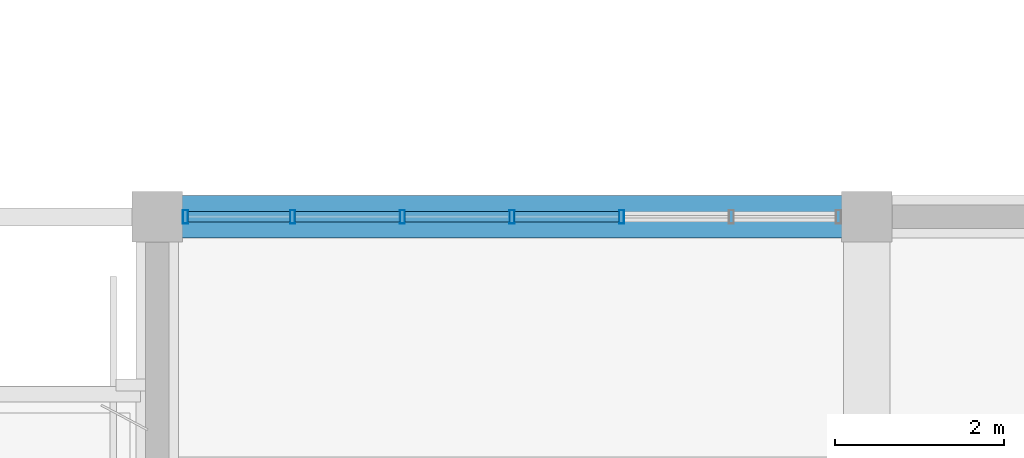
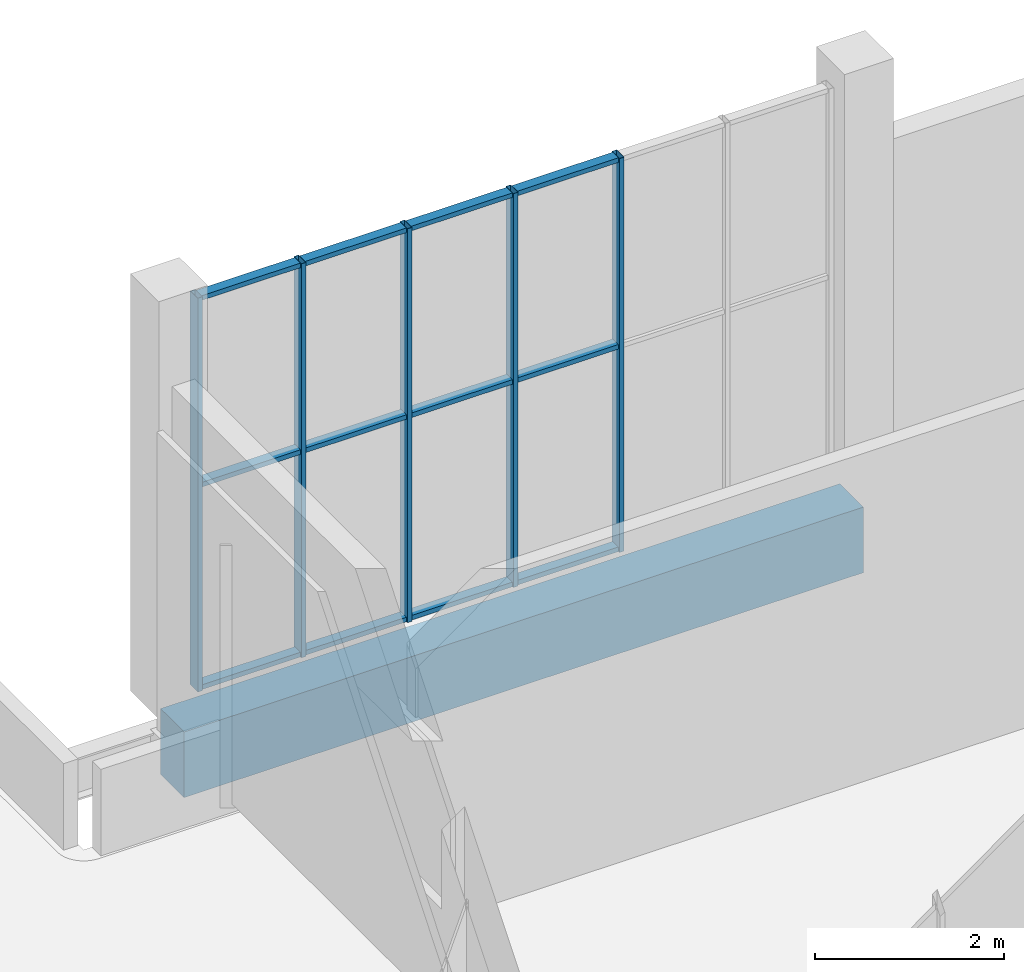
# One storey, part 63 of 132: 17 members, 1 beam, 1 element without a shape of its own.
"""IFC4 building model written with IfcOpenShell, lengths in metres."""

from ifc_helpers import new_model, si_unit, direction, frame, origin, origin_2d, place, context, subcontext, project, spatial, rectangle, hollow_rectangle, extrude, material, material_profile, profile_set, type_object, element, aggregate, save


model = new_model("IFC4")

# Units and contexts
model_context = context("Model", 3, precision=1e-05, world=origin(), true_north=direction((0.0, 1.0)))
body_context = subcontext(model_context, "Body", "Model", "MODEL_VIEW")
ifc_project = project(units=[si_unit("LENGTHUNIT", "METRE"), si_unit("AREAUNIT", "SQUARE_METRE"), si_unit("VOLUMEUNIT", "CUBIC_METRE"), si_unit("PLANEANGLEUNIT", "RADIAN"), si_unit("MASSUNIT", "GRAM", prefix="KILO")], contexts=[model_context])

# Site, building, storey
site_placement = place(None, origin())
site = spatial("IfcSite", under=ifc_project, at=site_placement, CompositionType="ELEMENT")
building_placement = place(site_placement, origin())
building = spatial("IfcBuilding", under=site, at=building_placement, Name="Khurvash Pelagic Aquarium", CompositionType="ELEMENT")
storey_placement = place(building_placement, frame((0.0, 0.0, 5.39990234375)))
storey = spatial("IfcBuildingStorey", under=building, at=storey_placement, Name="L01", CompositionType="ELEMENT", Elevation=5.39990234375)

# Curtain wall, members
ifc_material_1 = material(Name="Anodised aluminium and low-E laminated glass", Category="aluminium")
curtain_wall_type = type_object("IfcCurtainWallType", Name="CW-05", PredefinedType="USERDEFINED", material=ifc_material_1)
curtain_wall_placement = place(storey_placement, origin())
curtain_wall = element("IfcCurtainWall", 1, at=curtain_wall_placement, inside=storey, type_object=curtain_wall_type, Name="L01 Facade Unitised Curtain Wall CW-05 0120", ObjectType="UNITISED CURTAIN WALL", PredefinedType="USERDEFINED")
ifc_material_2 = material(Name="Extruded aluminium AW-6063-T6", Category="aluminium")
ifc_material_profile_1 = material_profile(ifc_material_2, hollow_rectangle(XDim=0.06005859375, YDim=0.159912109375, WallThickness=0.00390625, at=origin_2d()), Name="CWM60X160X4")
ifc_profile_set_1 = profile_set([ifc_material_profile_1], Name="Extruded aluminium AW-6063-T6")
member_type_1 = type_object("IfcMemberType", Name="CM-02", PredefinedType="MULLION", material=ifc_profile_set_1)
member_1_placement = place(storey_placement, frame((39.098388671875, 102.14990234375, 0.0), z_axis=(0.0, 0.0, 1.0), x_axis=(-1.0, 0.0, 0.0)))
member_1 = element("IfcMember", 2, at=member_1_placement, type_object=member_type_1, Name="CW-05 mullion 3", PredefinedType="MULLION", context=body_context, shape_type="SweptSolid", body=[
    extrude(hollow_rectangle(XDim=0.06005859375, YDim=0.159912109375, WallThickness=0.00390625, at=origin_2d()), origin(), (0.0, 0.0, 1.0), 5.10009765625),
])
member_2_placement = place(storey_placement, frame((37.800048828125, 102.14990234375, 0.0), z_axis=(0.0, 0.0, 1.0), x_axis=(-1.0, 0.0, 0.0)))
member_2 = element("IfcMember", 3, at=member_2_placement, type_object=member_type_1, Name="CW-05 mullion 4", PredefinedType="MULLION", context=body_context, shape_type="SweptSolid", body=[
    extrude(hollow_rectangle(XDim=0.06005859375, YDim=0.159912109375, WallThickness=0.00390625, at=origin_2d()), origin(), (0.0, 0.0, 1.0), 5.10009765625),
])
member_3_placement = place(storey_placement, frame((36.501708984375, 102.14990234375, 0.0), z_axis=(0.0, 0.0, 1.0), x_axis=(-1.0, 0.0, 0.0)))
member_3 = element("IfcMember", 4, at=member_3_placement, type_object=member_type_1, Name="CW-05 mullion 5", PredefinedType="MULLION", context=body_context, shape_type="SweptSolid", body=[
    extrude(hollow_rectangle(XDim=0.06005859375, YDim=0.159912109375, WallThickness=0.00390625, at=origin_2d()), origin(), (0.0, 0.0, 1.0), 5.10009765625),
])
member_4_placement = place(storey_placement, frame((35.203369140625, 102.14990234375, 0.0), z_axis=(0.0, 0.0, 1.0), x_axis=(-1.0, 0.0, 0.0)))
member_4 = element("IfcMember", 5, at=member_4_placement, type_object=member_type_1, Name="CW-05 mullion 6", PredefinedType="MULLION", context=body_context, shape_type="SweptSolid", body=[
    extrude(hollow_rectangle(XDim=0.06005859375, YDim=0.159912109375, WallThickness=0.00390625, at=origin_2d()), origin(), (0.0, 0.0, 1.0), 5.10009765625),
])
member_5_placement = place(storey_placement, frame((33.93505859375, 102.14990234375, 0.0), z_axis=(0.0, 0.0, 1.0), x_axis=(-1.0, 0.0, 0.0)))
member_5 = element("IfcMember", 6, at=member_5_placement, type_object=member_type_1, Name="CW-05 mullion 7", PredefinedType="MULLION", context=body_context, shape_type="SweptSolid", body=[
    extrude(hollow_rectangle(XDim=0.06005859375, YDim=0.159912109375, WallThickness=0.00390625, at=origin_2d()), origin(), (0.0, 0.0, 1.0), 5.10009765625),
])
ifc_material_profile_2 = material_profile(ifc_material_2, hollow_rectangle(XDim=0.1201171875, YDim=0.06005859375, WallThickness=0.00390625, at=origin_2d()), Name="CWT120X60X4")
ifc_profile_set_2 = profile_set([ifc_material_profile_2], Name="Extruded aluminium AW-6063-T6")
member_type_2 = type_object("IfcMemberType", Name="CT-02", PredefinedType="USERDEFINED", material=ifc_profile_set_2)
member_6_placement = place(storey_placement, frame((39.068359375, 102.14990234375, 0.030029296875), z_axis=(-1.0, 0.0, 0.0), x_axis=(0.0, -1.0, 0.0)))
member_6 = element("IfcMember", 7, at=member_6_placement, type_object=member_type_2, Name="CW-05 transom 3.1", ObjectType="TRANSOM", PredefinedType="USERDEFINED", context=body_context, shape_type="SweptSolid", body=[
    extrude(hollow_rectangle(XDim=0.1201171875, YDim=0.06005859375, WallThickness=0.00390625, at=origin_2d()), origin(), (0.0, 0.0, 1.0), 1.23828125),
])
member_7_placement = place(storey_placement, frame((39.068359375, 102.14990234375, 2.652099609375), z_axis=(-1.0, 0.0, 0.0), x_axis=(0.0, -1.0, 0.0)))
member_7 = element("IfcMember", 8, at=member_7_placement, type_object=member_type_2, Name="CW-05 transom 3.2", ObjectType="TRANSOM", PredefinedType="USERDEFINED", context=body_context, shape_type="SweptSolid", body=[
    extrude(hollow_rectangle(XDim=0.1201171875, YDim=0.06005859375, WallThickness=0.00390625, at=origin_2d()), origin(), (0.0, 0.0, 1.0), 1.23828125),
])
member_8_placement = place(storey_placement, frame((39.068359375, 102.14990234375, 5.070068359375), z_axis=(-1.0, 0.0, 0.0), x_axis=(0.0, -1.0, 0.0)))
member_8 = element("IfcMember", 9, at=member_8_placement, type_object=member_type_2, Name="CW-05 transom 3.3", ObjectType="TRANSOM", PredefinedType="USERDEFINED", context=body_context, shape_type="SweptSolid", body=[
    extrude(hollow_rectangle(XDim=0.1201171875, YDim=0.06005859375, WallThickness=0.00390625, at=origin_2d()), origin(), (0.0, 0.0, 1.0), 1.23828125),
])
member_9_placement = place(storey_placement, frame((37.77001953125, 102.14990234375, 0.030029296875), z_axis=(-1.0, 0.0, 0.0), x_axis=(0.0, -1.0, 0.0)))
member_9 = element("IfcMember", 10, at=member_9_placement, type_object=member_type_2, Name="CW-05 transom 4.1", ObjectType="TRANSOM", PredefinedType="USERDEFINED", context=body_context, shape_type="SweptSolid", body=[
    extrude(hollow_rectangle(XDim=0.1201171875, YDim=0.06005859375, WallThickness=0.00390625, at=origin_2d()), origin(), (0.0, 0.0, 1.0), 1.23828125),
])
member_10_placement = place(storey_placement, frame((37.77001953125, 102.14990234375, 2.652099609375), z_axis=(-1.0, 0.0, 0.0), x_axis=(0.0, -1.0, 0.0)))
member_10 = element("IfcMember", 11, at=member_10_placement, type_object=member_type_2, Name="CW-05 transom 4.2", ObjectType="TRANSOM", PredefinedType="USERDEFINED", context=body_context, shape_type="SweptSolid", body=[
    extrude(hollow_rectangle(XDim=0.1201171875, YDim=0.06005859375, WallThickness=0.00390625, at=origin_2d()), origin(), (0.0, 0.0, 1.0), 1.23828125),
])
member_11_placement = place(storey_placement, frame((37.77001953125, 102.14990234375, 5.070068359375), z_axis=(-1.0, 0.0, 0.0), x_axis=(0.0, -1.0, 0.0)))
member_11 = element("IfcMember", 12, at=member_11_placement, type_object=member_type_2, Name="CW-05 transom 4.3", ObjectType="TRANSOM", PredefinedType="USERDEFINED", context=body_context, shape_type="SweptSolid", body=[
    extrude(hollow_rectangle(XDim=0.1201171875, YDim=0.06005859375, WallThickness=0.00390625, at=origin_2d()), origin(), (0.0, 0.0, 1.0), 1.23828125),
])
member_12_placement = place(storey_placement, frame((36.4716796875, 102.14990234375, 0.030029296875), z_axis=(-1.0, 0.0, 0.0), x_axis=(0.0, -1.0, 0.0)))
member_12 = element("IfcMember", 13, at=member_12_placement, type_object=member_type_2, Name="CW-05 transom 5.1", ObjectType="TRANSOM", PredefinedType="USERDEFINED", context=body_context, shape_type="SweptSolid", body=[
    extrude(hollow_rectangle(XDim=0.1201171875, YDim=0.06005859375, WallThickness=0.00390625, at=origin_2d()), origin(), (0.0, 0.0, 1.0), 1.23828125),
])
member_13_placement = place(storey_placement, frame((36.4716796875, 102.14990234375, 2.652099609375), z_axis=(-1.0, 0.0, 0.0), x_axis=(0.0, -1.0, 0.0)))
member_13 = element("IfcMember", 14, at=member_13_placement, type_object=member_type_2, Name="CW-05 transom 5.2", ObjectType="TRANSOM", PredefinedType="USERDEFINED", context=body_context, shape_type="SweptSolid", body=[
    extrude(hollow_rectangle(XDim=0.1201171875, YDim=0.06005859375, WallThickness=0.00390625, at=origin_2d()), origin(), (0.0, 0.0, 1.0), 1.23828125),
])
member_14_placement = place(storey_placement, frame((36.4716796875, 102.14990234375, 5.070068359375), z_axis=(-1.0, 0.0, 0.0), x_axis=(0.0, -1.0, 0.0)))
member_14 = element("IfcMember", 15, at=member_14_placement, type_object=member_type_2, Name="CW-05 transom 5.3", ObjectType="TRANSOM", PredefinedType="USERDEFINED", context=body_context, shape_type="SweptSolid", body=[
    extrude(hollow_rectangle(XDim=0.1201171875, YDim=0.06005859375, WallThickness=0.00390625, at=origin_2d()), origin(), (0.0, 0.0, 1.0), 1.23828125),
])
member_15_placement = place(storey_placement, frame((35.17333984375, 102.14990234375, 0.030029296875), z_axis=(-1.0, 0.0, 0.0), x_axis=(0.0, -1.0, 0.0)))
member_15 = element("IfcMember", 16, at=member_15_placement, type_object=member_type_2, Name="CW-05 transom 6.1", ObjectType="TRANSOM", PredefinedType="USERDEFINED", context=body_context, shape_type="SweptSolid", body=[
    extrude(hollow_rectangle(XDim=0.1201171875, YDim=0.06005859375, WallThickness=0.00390625, at=origin_2d()), origin(), (0.0, 0.0, 1.0), 1.208251953125),
])
member_16_placement = place(storey_placement, frame((35.17333984375, 102.14990234375, 2.652099609375), z_axis=(-1.0, 0.0, 0.0), x_axis=(0.0, -1.0, 0.0)))
member_16 = element("IfcMember", 17, at=member_16_placement, type_object=member_type_2, Name="CW-05 transom 6.2", ObjectType="TRANSOM", PredefinedType="USERDEFINED", context=body_context, shape_type="SweptSolid", body=[
    extrude(hollow_rectangle(XDim=0.1201171875, YDim=0.06005859375, WallThickness=0.00390625, at=origin_2d()), origin(), (0.0, 0.0, 1.0), 1.208251953125),
])
member_17_placement = place(storey_placement, frame((35.17333984375, 102.14990234375, 5.070068359375), z_axis=(-1.0, 0.0, 0.0), x_axis=(0.0, -1.0, 0.0)))
member_17 = element("IfcMember", 18, at=member_17_placement, type_object=member_type_2, Name="CW-05 transom 6.3", ObjectType="TRANSOM", PredefinedType="USERDEFINED", context=body_context, shape_type="SweptSolid", body=[
    extrude(hollow_rectangle(XDim=0.1201171875, YDim=0.06005859375, WallThickness=0.00390625, at=origin_2d()), origin(), (0.0, 0.0, 1.0), 1.208251953125),
])
aggregate(curtain_wall, [member_1, member_2, member_3, member_4, member_5, member_6, member_7, member_8, member_9, member_10, member_11, member_12, member_13, member_14, member_15, member_16, member_17])

# Beam
ifc_material_3 = material(Name="Concrete C40/50", Category="concrete")
ifc_material_profile_3 = material_profile(ifc_material_3, rectangle(XDim=0.5, YDim=0.85009765625, at=origin_2d()), Name="RC500X850")
ifc_profile_set_3 = profile_set([ifc_material_profile_3], Name="Concrete C40/50")
beam_type = type_object("IfcBeamType", Name="SEB-03", PredefinedType="SPANDREL", material=ifc_profile_set_3)
beam_placement = place(storey_placement, frame((33.639892578125, 102.14990234375, -0.744873046875), z_axis=(1.0, 0.0, 0.0), x_axis=(0.0, 1.0, 0.0)))
element("IfcBeam", 19, at=beam_placement, inside=storey, type_object=beam_type, Name="L01 Primary Girder SEB-03 00337", PredefinedType="SPANDREL", context=body_context, shape_type="SweptSolid", body=[
    extrude(rectangle(XDim=0.5, YDim=0.85009765625, at=origin_2d()), origin(), (0.0, 0.0, 1.0), 8.320068359375),
])

save(model, "model.ifc")
